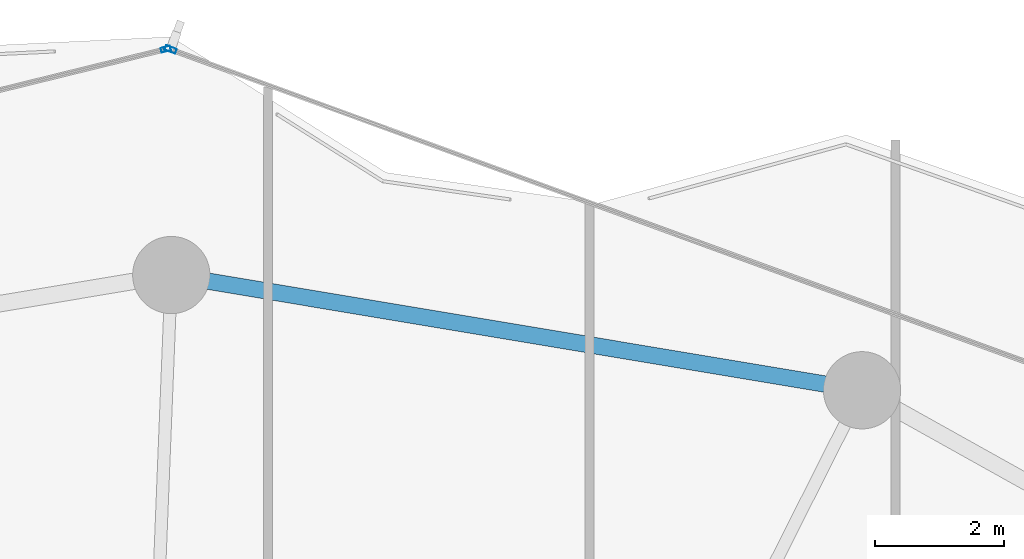
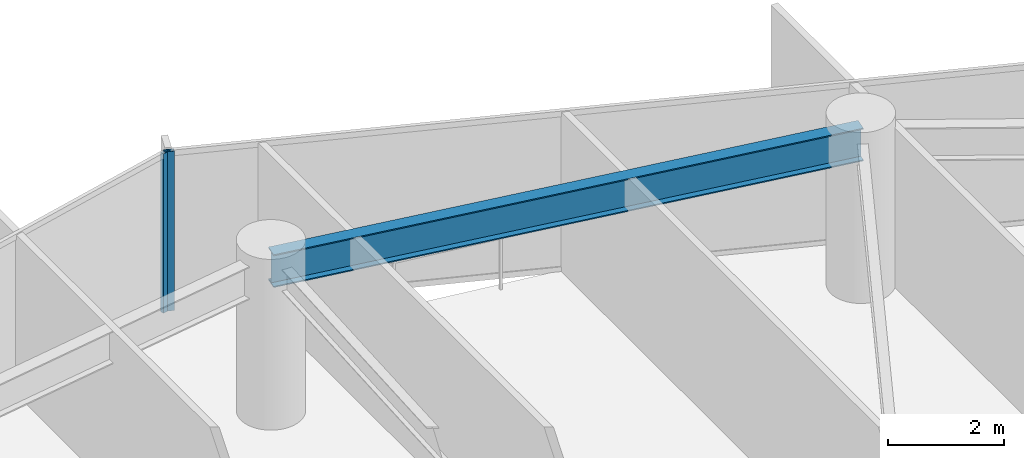
# One storey, part 19 of 28: 2 members, 1 beam, 2 elements without a shape of their own.
"""IFC4 building model written with IfcOpenShell, lengths in metres."""

import ifcopenshell
import ifcopenshell.guid

model = None  # the IFC model being written
_history = None  # IfcOwnerHistory: only IFC2X3 demands one
_inside = {}  # id of a spatial element -> (the spatial element, [elements in it])
_under = {}  # id of a project, library or spatial element -> (it, [spatial elements below it])
_declared = {}  # id of a project -> (the project, [libraries it declares])
_typed = {}  # id of a type object -> (the type object, [elements of that type])
_made_of = {}  # id of a material, layer set ... -> (it, [elements and type objects made of it])


def new_model(schema):
    """Start an empty IFC model of exactly this schema.

    Asked for "IFC4X3", IfcOpenShell would pick the latest addendum, in which some entities
    have other attributes; the version numbers below select the first issue.
    IFC2X3 requires an IfcOwnerHistory on every rooted entity: one is made here for all.
    """
    global model, _history
    if schema == "IFC4X3":
        model = ifcopenshell.file(schema_version=(4, 3, 0, 0))
    else:
        model = ifcopenshell.file(schema=schema)
    _inside.clear()
    _under.clear()
    _declared.clear()
    _typed.clear()
    _made_of.clear()
    _history = None
    if model.schema == "IFC2X3":
        org = make("IfcOrganization", Name="unknown")
        user = make(
            "IfcPersonAndOrganization",
            ThePerson=make("IfcPerson", FamilyName="unknown"),
            TheOrganization=org,
        )
        app = make(
            "IfcApplication",
            ApplicationDeveloper=org,
            Version="unknown",
            ApplicationFullName="unknown",
            ApplicationIdentifier="unknown",
        )
        _history = make(
            "IfcOwnerHistory",
            OwningUser=user,
            OwningApplication=app,
            ChangeAction="ADDED",
            CreationDate=0,
        )
    return model


def make(cls, **values):
    """One entity of the class cls with the attributes given. An attribute that is None is left unset."""
    return model.create_entity(
        cls, **{name: value for name, value in values.items() if value is not None}
    )


def rooted(cls, **values):
    """An entity with a GlobalId (a new one), such as an element, a storey or a relation."""
    return make(cls, GlobalId=ifcopenshell.guid.new(), OwnerHistory=_history, **values)


def si_unit(unit_type, name, prefix=None):
    """IfcSIUnit, for example si_unit("LENGTHUNIT", "METRE", prefix="MILLI")."""
    return make("IfcSIUnit", UnitType=unit_type, Prefix=prefix, Name=name)


def assignment(units):
    """IfcUnitAssignment: the units of a project."""
    return None if units is None else make("IfcUnitAssignment", Units=units)


def point(xyz):
    """IfcCartesianPoint."""
    return None if xyz is None else make("IfcCartesianPoint", Coordinates=xyz)


def direction(xyz):
    """IfcDirection."""
    return None if xyz is None else make("IfcDirection", DirectionRatios=xyz)


def frame(location, z_axis=None, x_axis=None):
    """IfcAxis2Placement3D, a coordinate frame: its origin and axes. An axis left out is left unset."""
    return make(
        "IfcAxis2Placement3D",
        Location=point(location),
        Axis=direction(z_axis),
        RefDirection=direction(x_axis),
    )


def frame_2d(location, x_axis=None):
    """IfcAxis2Placement2D, a coordinate frame in the plane: its origin and x axis."""
    return make(
        "IfcAxis2Placement2D", Location=point(location), RefDirection=direction(x_axis)
    )


def origin():
    """The frame at (0, 0, 0) with its axes left unset."""
    return frame((0.0, 0.0, 0.0))


def origin_2d():
    """The frame at (0, 0) in the plane with its x axis left unset."""
    return frame_2d((0.0, 0.0))


def place(relative_to, where):
    """IfcLocalPlacement: puts the frame where relative to a parent placement (None: the world)."""
    return make(
        "IfcLocalPlacement", PlacementRelTo=relative_to, RelativePlacement=where
    )


def context(
    kind, dimensions, precision=None, world=None, true_north=None, identifier=None
):
    """IfcGeometricRepresentationContext, for example the 3D "Model" context."""
    return make(
        "IfcGeometricRepresentationContext",
        ContextIdentifier=identifier,
        ContextType=kind,
        CoordinateSpaceDimension=dimensions,
        Precision=precision,
        WorldCoordinateSystem=world,
        TrueNorth=true_north,
    )


def subcontext(parent, identifier, kind, view, scale=None):
    """IfcGeometricRepresentationSubContext, for example "Body" below "Model"."""
    return make(
        "IfcGeometricRepresentationSubContext",
        ContextIdentifier=identifier,
        ContextType=kind,
        ParentContext=parent,
        TargetScale=scale,
        TargetView=view,
    )


def project(units=None, contexts=None):
    """IfcProject with its units and contexts."""
    return rooted(
        "IfcProject",
        Name="project",
        RepresentationContexts=contexts,
        UnitsInContext=assignment(units),
    )


def spatial(cls, under=None, at=None, **own):
    """A site, building, storey or space (cls), placed at a placement, below another one or the project."""
    s = rooted(cls, ObjectPlacement=at, **own)
    if under is not None:
        _under.setdefault(under.id(), (under, []))[1].append(s)
    return s


def profile(cls, at=None, kind="AREA", **sizes):
    """A parametric profile (cls). Its sizes go by their IFC names, for example OverallWidth=200.0."""
    return make(cls, ProfileType=kind, Position=at, **sizes)


def hollow_rectangle(**sizes):
    """IfcRectangleHollowProfileDef."""
    return profile("IfcRectangleHollowProfileDef", **sizes)


def i_section(**sizes):
    """IfcIShapeProfileDef."""
    return profile("IfcIShapeProfileDef", **sizes)


def extrude(swept, where, along, depth):
    """IfcExtrudedAreaSolid: the profile swept, set in the frame where, extruded along a direction by depth."""
    return make(
        "IfcExtrudedAreaSolid",
        SweptArea=swept,
        Position=where,
        ExtrudedDirection=direction(along),
        Depth=depth,
    )


def shape(context_of_items, identifier, shape_type, items):
    """IfcShapeRepresentation: the items that make up one representation, for example the "Body"."""
    return make(
        "IfcShapeRepresentation",
        ContextOfItems=context_of_items,
        RepresentationIdentifier=identifier,
        RepresentationType=shape_type,
        Items=items,
    )


def material(Name=None, Category=None):
    """IfcMaterial."""
    return make("IfcMaterial", Name=Name, Category=Category)


def layer(
    of_material, thickness, ventilated=None, Name=None, Category=None, Priority=None
):
    """IfcMaterialLayer: one layer of a wall or slab, of a material (None: an air gap)."""
    return make(
        "IfcMaterialLayer",
        Material=of_material,
        LayerThickness=thickness,
        IsVentilated=ventilated,
        Name=Name,
        Category=Category,
        Priority=Priority,
    )


def layer_set(layers, Name=None):
    """IfcMaterialLayerSet."""
    return make("IfcMaterialLayerSet", MaterialLayers=layers, LayerSetName=Name)


def material_profile(
    of_material, cross_section, Name=None, Category=None, Priority=None
):
    """IfcMaterialProfile: a cross section and its material."""
    return make(
        "IfcMaterialProfile",
        Name=Name,
        Material=of_material,
        Profile=cross_section,
        Priority=Priority,
        Category=Category,
    )


def profile_set(profiles, Name=None, composite=None):
    """IfcMaterialProfileSet."""
    return make(
        "IfcMaterialProfileSet",
        Name=Name,
        MaterialProfiles=profiles,
        CompositeProfile=composite,
    )


def made_of(thing, what):
    """Note that an element or type object is made of a material, layer set ...; save() writes the relation."""
    if what is not None:
        _made_of.setdefault(what.id(), (what, []))[1].append(thing)
    return thing


def type_object(cls, material=None, **own):
    """A type object (cls), such as IfcWallType, which elements share."""
    return made_of(rooted(cls, **own), material)


def element(
    cls,
    number,
    at=None,
    inside=None,
    cuts=None,
    type_object=None,
    material=None,
    context=None,
    identifier="Body",
    shape_type=None,
    held_by="IfcProductDefinitionShape",
    body=None,
    shapes=None,
    **own,
):
    """One element of the class cls, such as IfcWall. Its Tag is "e" and its number.

    at: its placement. inside: the storey or other place that contains it. cuts: it is an
    opening in that element (IfcRelVoidsElement). A single representation is given by context,
    identifier, shape_type and body (its items); several are given by shapes. held_by: the class
    of the entity that holds the representations. save() writes the other relations.
    """
    e = rooted(cls, Tag="e%d" % number, ObjectPlacement=at, **own)
    if body is not None:
        shapes = [shape(context, identifier, shape_type, body)]
    if shapes is not None:
        e.Representation = make(held_by, Representations=shapes)
    if inside is not None:
        _inside.setdefault(inside.id(), (inside, []))[1].append(e)
    if cuts is not None:
        rooted(
            "IfcRelVoidsElement", RelatingBuildingElement=cuts, RelatedOpeningElement=e
        )
    if type_object is not None:
        _typed.setdefault(type_object.id(), (type_object, []))[1].append(e)
    return made_of(e, material)


def aggregate(whole, parts):
    """IfcRelAggregates: a whole, such as a stair, and the parts it consists of."""
    return rooted("IfcRelAggregates", RelatingObject=whole, RelatedObjects=parts)


def save(model, path):
    """Write the relations noted so far, then the file.

    IfcRelAggregates (storeys below a building ...), IfcRelContainedInSpatialStructure (elements
    in a storey), IfcRelDefinesByType, IfcRelAssociatesMaterial and IfcRelDeclares: one each for
    every whole, place, type object, material and project.
    """
    for whole, parts in _under.values():
        aggregate(whole, parts)
    for where, things in _inside.values():
        rooted(
            "IfcRelContainedInSpatialStructure",
            RelatedElements=things,
            RelatingStructure=where,
        )
    for kind, things in _typed.values():
        rooted("IfcRelDefinesByType", RelatedObjects=things, RelatingType=kind)
    for what, things in _made_of.values():
        rooted("IfcRelAssociatesMaterial", RelatedObjects=things, RelatingMaterial=what)
    for by, libraries in _declared.values():
        rooted("IfcRelDeclares", RelatingContext=by, RelatedDefinitions=libraries)
    model.write(path)


model = new_model("IFC4")

# Units and contexts
model_context = context("Model", 3, precision=1e-05, world=origin(), true_north=direction((0.0, 1.0)))
body_context = subcontext(model_context, "Body", "Model", "MODEL_VIEW")
ifc_project = project(units=[si_unit("LENGTHUNIT", "METRE"), si_unit("AREAUNIT", "SQUARE_METRE"), si_unit("VOLUMEUNIT", "CUBIC_METRE"), si_unit("PLANEANGLEUNIT", "RADIAN"), si_unit("MASSUNIT", "GRAM", prefix="KILO")], contexts=[model_context])

# Site, building, storey
site_placement = place(None, origin())
site = spatial("IfcSite", under=ifc_project, at=site_placement, CompositionType="ELEMENT")
building_placement = place(site_placement, origin())
building = spatial("IfcBuilding", under=site, at=building_placement, Name="Kazevale Care Tower and Concert Hall", CompositionType="ELEMENT")
storey_placement = place(building_placement, frame((0.0, 0.0, 135.0)))
storey = spatial("IfcBuildingStorey", under=building, at=storey_placement, Name="L35", CompositionType="ELEMENT", Elevation=135.0)

# Curtain wall, member
ifc_material_1 = material(Name="Aluminium 6063-T6 and Low-E Glass", Category="aluminium")
ifc_layer_1 = layer(ifc_material_1, 0.179931640625)
ifc_layer_set_1 = layer_set([ifc_layer_1], Name="Aluminium 6063-T6 and Low-E Glass")
curtain_wall_type_1 = type_object("IfcCurtainWallType", Name="Convex Checkerboard Finned Curtain Wall CW-2", PredefinedType="NOTDEFINED", material=ifc_layer_set_1)
curtain_wall_1_placement = place(storey_placement, origin())
curtain_wall_1 = element("IfcCurtainWall", 1, at=curtain_wall_1_placement, inside=storey, type_object=curtain_wall_type_1, Name="cw:L35:f16", PredefinedType="NOTDEFINED")
ifc_material_2 = material(Name="Aluminium 6063-T6", Category="aluminium")
ifc_material_profile_1 = material_profile(ifc_material_2, hollow_rectangle(XDim=0.080078125, YDim=0.179931640625, WallThickness=0.0048828125, at=origin_2d()), Name="ALU80x180x5")
ifc_profile_set_1 = profile_set([ifc_material_profile_1], Name="Aluminium 6063-T6")
member_type_1 = type_object("IfcMemberType", Name="CW-2 Mullion ALU80x180x5", PredefinedType="MULLION", material=ifc_profile_set_1)
member_1_placement = place(storey_placement, frame((44.989501953125, 64.953369140625, 0.0), z_axis=(0.0, 0.0, 1.0), x_axis=(0.343143453498, 0.939283008641, 0.0)))
member_1 = element("IfcMember", 2, at=member_1_placement, type_object=member_type_1, Name="CW-2 mullion 1", PredefinedType="MULLION", context=body_context, shape_type="SweptSolid", body=[
    extrude(hollow_rectangle(XDim=0.080078125, YDim=0.179931640625, WallThickness=0.0048828125, at=origin_2d()), origin(), (0.0, 0.0, 1.0), 3.360107421875),
])
aggregate(curtain_wall_1, [member_1])

ifc_layer_2 = layer(ifc_material_1, 0.179931640625)
ifc_layer_set_2 = layer_set([ifc_layer_2], Name="Aluminium 6063-T6 and Low-E Glass")
curtain_wall_type_2 = type_object("IfcCurtainWallType", Name="Convex Recessed Sunroom Curtain Wall CW-3", PredefinedType="NOTDEFINED", material=ifc_layer_set_2)
curtain_wall_2_placement = place(storey_placement, origin())
curtain_wall_2 = element("IfcCurtainWall", 3, at=curtain_wall_2_placement, inside=storey, type_object=curtain_wall_type_2, Name="cw:L35:f15", PredefinedType="NOTDEFINED")
ifc_material_profile_2 = material_profile(ifc_material_2, hollow_rectangle(XDim=0.074951171875, YDim=0.14990234375, WallThickness=0.00390625, at=origin_2d()), Name="ALU75x150x4")
ifc_profile_set_2 = profile_set([ifc_material_profile_2], Name="Aluminium 6063-T6")
member_type_2 = type_object("IfcMemberType", Name="CW-3 Mullion ALU75x150x4", PredefinedType="MULLION", material=ifc_profile_set_2)
member_2_placement = place(storey_placement, frame((44.91552734375, 64.9580078125, 0.0), z_axis=(0.0, 0.0, 1.0), x_axis=(-0.239088999495, 0.970997657217, 0.0)))
member_2 = element("IfcMember", 4, at=member_2_placement, type_object=member_type_2, Name="CW-3 mullion 2", PredefinedType="MULLION", context=body_context, shape_type="SweptSolid", body=[
    extrude(hollow_rectangle(XDim=0.074951171875, YDim=0.14990234375, WallThickness=0.00390625, at=origin_2d()), origin(), (0.0, 0.0, 1.0), 3.360107421875),
])
aggregate(curtain_wall_2, [member_2])

# Beam
ifc_material_3 = material(Name="Steel ASTM A572 Gr 50", Category="steel")
ifc_material_profile_3 = material_profile(ifc_material_3, i_section(OverallWidth=0.256103515625, OverallDepth=0.693115234375, WebThickness=0.014404296875, FlangeThickness=0.023681640625, at=origin_2d()), Name="W690x170")
ifc_profile_set_3 = profile_set([ifc_material_profile_3], Name="Steel ASTM A572 Gr 50")
beam_type = type_object("IfcBeamType", Name="Waist Ring Beam W690x170", PredefinedType="BEAM", material=ifc_profile_set_3)
beam_placement = place(storey_placement, frame((55.72998046875, 59.659912109375, 3.013427734375), z_axis=(-0.986368436187, 0.164551840139, 0.0), x_axis=(-0.164551840139, -0.986368436187, 0.0)))
element("IfcBeam", 5, at=beam_placement, inside=storey, type_object=beam_type, Name="beam:L35:ring:04", PredefinedType="BEAM", context=body_context, shape_type="SweptSolid", body=[
    extrude(i_section(OverallWidth=0.256103515625, OverallDepth=0.693115234375, WebThickness=0.014404296875, FlangeThickness=0.023681640625, at=origin_2d()), origin(), (0.0, 0.0, 1.0), 10.878173828125),
])

save(model, "model.ifc")
